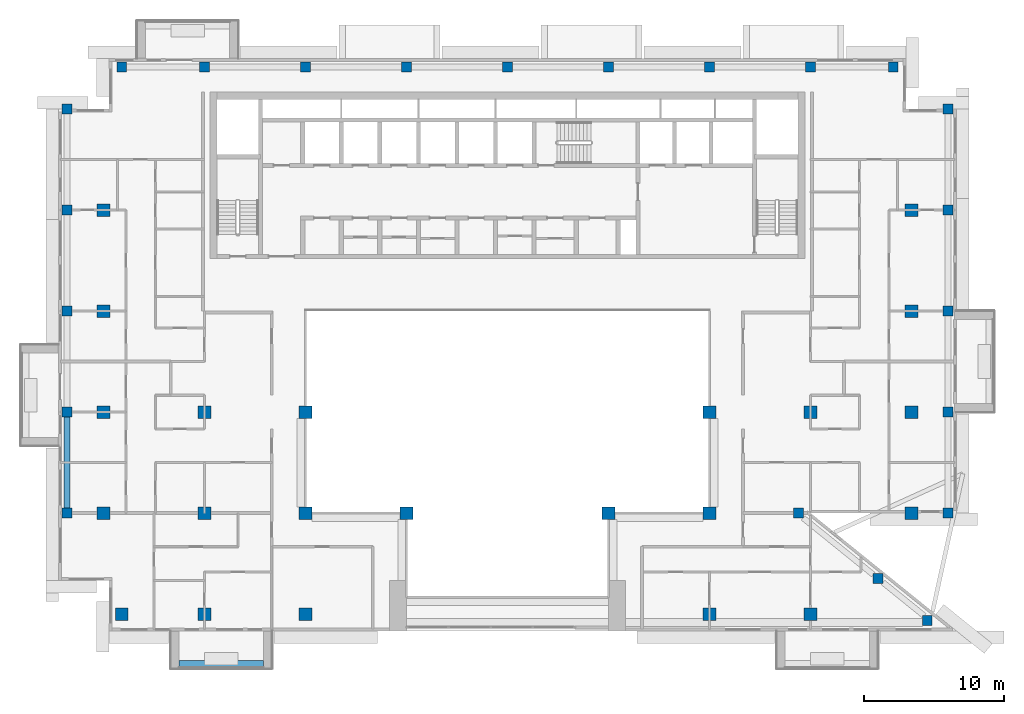
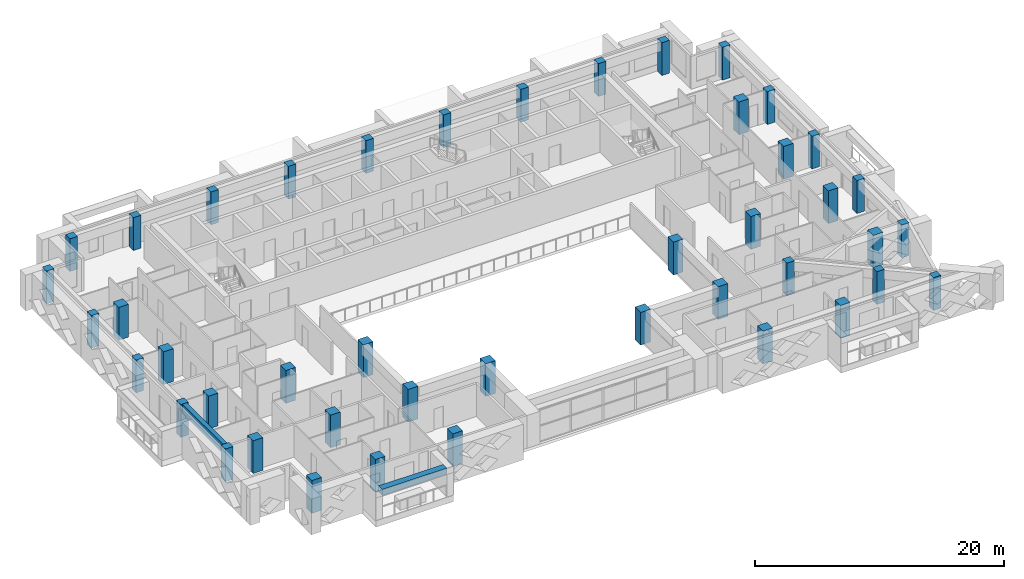
# One storey, part 1 of 19: 44 columns, 2 beams.
"""IFC4 building model written with IfcOpenShell, lengths in metres."""

from ifc_helpers import new_model, si_unit, direction, frame, origin, origin_2d, place, context, subcontext, project, spatial, rectangle, extrude, source, transform, mapped, material, material_profile, profile_set, type_object, element, save


model = new_model("IFC4")

# Units and contexts
model_context = context("Model", 3, precision=1e-05, world=origin(), true_north=direction((0.0, 1.0)))
body_context = subcontext(model_context, "Body", "Model", "MODEL_VIEW")
ifc_project = project(units=[si_unit("LENGTHUNIT", "METRE"), si_unit("AREAUNIT", "SQUARE_METRE"), si_unit("VOLUMEUNIT", "CUBIC_METRE"), si_unit("PLANEANGLEUNIT", "RADIAN"), si_unit("MASSUNIT", "GRAM", prefix="KILO")], contexts=[model_context])

# Site, building, storey
site_placement = place(None, origin())
site = spatial("IfcSite", under=ifc_project, at=site_placement, CompositionType="ELEMENT")
building_placement = place(site_placement, origin())
building = spatial("IfcBuilding", under=site, at=building_placement, Name="Saffron Iwan Residences", CompositionType="ELEMENT")
storey_placement = place(building_placement, frame((0.0, 0.0, 218.5)))
storey = spatial("IfcBuildingStorey", under=building, at=storey_placement, Name="L58", CompositionType="ELEMENT", Elevation=218.5)

# Columns
ifc_material_1 = material(Name="Concrete C40/50", Category="concrete")
ifc_material_profile_1 = material_profile(ifc_material_1, rectangle(XDim=0.89990234375, YDim=0.89990234375, at=origin_2d()), Name="RC 900x900")
ifc_profile_set_1 = profile_set([ifc_material_profile_1], Name="Concrete C40/50")
column_type_1 = type_object("IfcColumnType", Name="COL RC 900x900 C40/50 3220 HIGH", PredefinedType="COLUMN", material=ifc_profile_set_1)
shared_shape_1 = source(origin(), body_context, "Body", "SweptSolid", [
    extrude(rectangle(XDim=0.89990234375, YDim=0.89990234375, at=origin_2d()), origin(), (0.0, 0.0, 1.0), 3.219970703125),
])
for number, where, z_axis, x_axis, name in (
    (1, (22.89990234375, 40.800048828125, 0.0), (0.0, 0.0, 1.0), (1.0, 0.0, 0.0), "Column C050"),
    (2, (28.800048828125, 40.800048828125, 0.0), (0.0, 0.0, 1.0), (1.0, 0.0, 0.0), "Column C051"),
    (3, (36.0, 40.800048828125, 0.0), (0.0, 0.0, 1.0), (1.0, 0.0, 0.0), "Column C052"),
    (4, (64.800048828125, 40.800048828125, 0.0), (0.0, 0.0, 1.0), (1.0, 0.0, 0.0), "Column C055"),
    (5, (72.0, 40.800048828125, 0.0), (0.0, 0.0, 1.0), (1.0, 0.0, 0.0), "Column C056"),
    (6, (21.60009765625, 48.0, 0.0), (0.0, 0.0, 1.0), (1.0, 0.0, 0.0), "Column C063"),
    (7, (28.800048828125, 48.0, 0.0), (0.0, 0.0, 1.0), (1.0, 0.0, 0.0), "Column C064"),
    (8, (36.0, 48.0, 0.0), (0.0, 0.0, 1.0), (1.0, 0.0, 0.0), "Column C065"),
    (9, (43.199951171875, 48.0, 0.0), (0.0, 0.0, 1.0), (1.0, 0.0, 0.0), "Column C066"),
    (10, (57.60009765625, 48.0, 0.0), (0.0, 0.0, 1.0), (1.0, 0.0, 0.0), "Column C068"),
    (11, (64.800048828125, 48.0, 0.0), (0.0, 0.0, 1.0), (1.0, 0.0, 0.0), "Column C069"),
    (12, (79.199951171875, 48.0, 0.0), (0.0, 0.0, 1.0), (1.0, 0.0, 0.0), "Column C072"),
    (13, (21.60009765625, 55.199951171875, 0.0), (0.0, 0.0, 1.0), (1.0, 0.0, 0.0), "Column C079"),
    (14, (28.800048828125, 55.199951171875, 0.0), (0.0, 0.0, 1.0), (1.0, 0.0, 0.0), "Column C080"),
    (15, (36.0, 55.199951171875, 0.0), (0.0, 0.0, 1.0), (1.0, 0.0, 0.0), "Column C081"),
    (16, (64.800048828125, 55.199951171875, 0.0), (0.0, 0.0, 1.0), (1.0, 0.0, 0.0), "Column C082"),
    (17, (72.0, 55.199951171875, 0.0), (0.0, 0.0, 1.0), (1.0, 0.0, 0.0), "Column C083"),
    (18, (79.199951171875, 55.199951171875, 0.0), (0.0, 0.0, 1.0), (1.0, 0.0, 0.0), "Column C084"),
    (19, (21.60009765625, 62.39990234375, 0.0), (0.0, 0.0, 1.0), (1.0, 0.0, 0.0), "Column C091"),
    (20, (79.199951171875, 62.39990234375, 0.0), (0.0, 0.0, 1.0), (1.0, 0.0, 0.0), "Column C092"),
    (21, (21.60009765625, 69.60009765625, 0.0), (0.0, 0.0, 1.0), (1.0, 0.0, 0.0), "Column C099"),
    (22, (79.199951171875, 69.60009765625, 0.0), (0.0, 0.0, 1.0), (1.0, 0.0, 0.0), "Column C100"),
):
    element("IfcColumn", number, at=place(storey_placement, frame(where, z_axis=z_axis, x_axis=x_axis)), inside=storey, type_object=column_type_1, Name=name, PredefinedType="COLUMN", context=body_context, shape_type="MappedRepresentation", body=[
        mapped(shared_shape_1, transform((0.0, 0.0, 0.0))),
    ])
ifc_material_profile_2 = material_profile(ifc_material_1, rectangle(XDim=0.699951171875, YDim=0.699951171875, at=origin_2d()), Name="RC 700x700")
ifc_profile_set_2 = profile_set([ifc_material_profile_2], Name="Concrete C40/50")
column_type_2 = type_object("IfcColumnType", Name="COL RC 700x700 C40/50 3220 HIGH", PredefinedType="COLUMN", material=ifc_profile_set_2)
shared_shape_2 = source(origin(), body_context, "Body", "SweptSolid", [
    extrude(rectangle(XDim=0.699951171875, YDim=0.699951171875, at=origin_2d()), origin(), (0.0, 0.0, 1.0), 3.219970703125),
])
for number, where, z_axis, x_axis, name in (
    (23, (80.32568359375, 40.3330078125, 0.0), (0.0, 0.0, 1.0), (1.0, 0.0, 0.0), "Column C046"),
    (24, (76.822998046875, 43.333251953125, 0.0), (0.0, 0.0, 1.0), (1.0, 0.0, 0.0), "Column C057"),
    (25, (19.0, 48.0, 0.0), (0.0, 0.0, 1.0), (1.0, 0.0, 0.0), "Column C062"),
    (26, (71.14990234375, 48.0, 0.0), (0.0, 0.0, 1.0), (1.0, 0.0, 0.0), "Column C070"),
    (27, (81.800048828125, 48.0, 0.0), (0.0, 0.0, 1.0), (1.0, 0.0, 0.0), "Column C073"),
    (28, (19.0, 55.199951171875, 0.0), (0.0, 0.0, 1.0), (1.0, 0.0, 0.0), "Column C078"),
    (29, (81.800048828125, 55.199951171875, 0.0), (0.0, 0.0, 1.0), (1.0, 0.0, 0.0), "Column C085"),
    (30, (19.0, 62.39990234375, 0.0), (0.0, 0.0, 1.0), (1.0, 0.0, 0.0), "Column C090"),
    (31, (81.800048828125, 62.39990234375, 0.0), (0.0, 0.0, 1.0), (1.0, 0.0, 0.0), "Column C093"),
    (32, (19.0, 69.60009765625, 0.0), (0.0, 0.0, 1.0), (1.0, 0.0, 0.0), "Column C098"),
    (33, (81.800048828125, 69.60009765625, 0.0), (0.0, 0.0, 1.0), (1.0, 0.0, 0.0), "Column C101"),
    (34, (19.0, 76.800048828125, 0.0), (0.0, 0.0, 1.0), (1.0, 0.0, 0.0), "Column C106"),
    (35, (81.800048828125, 76.800048828125, 0.0), (0.0, 0.0, 1.0), (1.0, 0.0, 0.0), "Column C109"),
    (36, (22.89990234375, 79.800048828125, 0.0), (0.0, 0.0, 1.0), (1.0, 0.0, 0.0), "Column C114"),
    (37, (28.800048828125, 79.800048828125, 0.0), (0.0, 0.0, 1.0), (1.0, 0.0, 0.0), "Column C115"),
    (38, (36.0, 79.800048828125, 0.0), (0.0, 0.0, 1.0), (1.0, 0.0, 0.0), "Column C116"),
    (39, (43.199951171875, 79.800048828125, 0.0), (0.0, 0.0, 1.0), (1.0, 0.0, 0.0), "Column C117"),
    (40, (50.39990234375, 79.800048828125, 0.0), (0.0, 0.0, 1.0), (1.0, 0.0, 0.0), "Column C118"),
    (41, (57.60009765625, 79.800048828125, 0.0), (0.0, 0.0, 1.0), (1.0, 0.0, 0.0), "Column C119"),
    (42, (64.800048828125, 79.800048828125, 0.0), (0.0, 0.0, 1.0), (1.0, 0.0, 0.0), "Column C120"),
    (43, (72.0, 79.800048828125, 0.0), (0.0, 0.0, 1.0), (1.0, 0.0, 0.0), "Column C121"),
    (44, (77.89990234375, 79.800048828125, 0.0), (0.0, 0.0, 1.0), (1.0, 0.0, 0.0), "Column C122"),
):
    element("IfcColumn", number, at=place(storey_placement, frame(where, z_axis=z_axis, x_axis=x_axis)), inside=storey, type_object=column_type_2, Name=name, PredefinedType="COLUMN", context=body_context, shape_type="MappedRepresentation", body=[
        mapped(shared_shape_2, transform((0.0, 0.0, 0.0))),
    ])

# Beams
ifc_material_profile_3 = material_profile(ifc_material_1, rectangle(XDim=0.39990234375, YDim=0.89990234375, at=origin_2d()), Name="RC 400x900")
ifc_profile_set_3 = profile_set([ifc_material_profile_3], Name="Concrete C40/50")
beam_type_1 = type_object("IfcBeamType", Name="SPANDREL BEAM RC 400x900 C40/50 TOP 3220", PredefinedType="SPANDREL", material=ifc_profile_set_3)
shared_shape_3 = source(origin(), body_context, "Body", "SweptSolid", [
    extrude(rectangle(XDim=0.39990234375, YDim=0.89990234375, at=origin_2d()), origin(), (0.0, 0.0, 1.0), 6.5),
])
beam_1_placement = place(storey_placement, frame((19.0, 48.35009765625, 2.77001953125), z_axis=(0.0, 1.0, 0.0), x_axis=(-1.0, 0.0, 0.0)))
element("IfcBeam", 45, at=beam_1_placement, inside=storey, type_object=beam_type_1, Name="Spandrel beam", PredefinedType="SPANDREL", context=body_context, shape_type="MappedRepresentation", body=[
    mapped(shared_shape_3, transform((0.0, 0.0, 0.0))),
])
ifc_material_2 = material(Name="Concrete C50/60 white painted", Category="concrete")
ifc_material_profile_4 = material_profile(ifc_material_2, rectangle(XDim=0.60009765625, YDim=0.60009765625, at=origin_2d()), Name="BALCONY FASCIA BEAM 600 x 600")
ifc_profile_set_4 = profile_set([ifc_material_profile_4], Name="Concrete C50/60 white painted")
beam_type_2 = type_object("IfcBeamType", Name="BALCONY FASCIA BEAM 600 x 600", PredefinedType="BEAM", material=ifc_profile_set_4)
shared_shape_4 = source(origin(), body_context, "Body", "SweptSolid", [
    extrude(rectangle(XDim=0.60009765625, YDim=0.60009765625, at=origin_2d()), origin(), (0.0, 0.0, 1.0), 6.0),
])
beam_2_placement = place(storey_placement, frame((27.0, 37.199951171875, 2.550048828125), z_axis=(1.0, 0.0, 0.0), x_axis=(0.0, 1.0, 0.0)))
element("IfcBeam", 46, at=beam_2_placement, inside=storey, type_object=beam_type_2, Name="Balcony fascia beam L58 11-0", PredefinedType="BEAM", context=body_context, shape_type="MappedRepresentation", body=[
    mapped(shared_shape_4, transform((0.0, 0.0, 0.0))),
])

save(model, "model.ifc")
